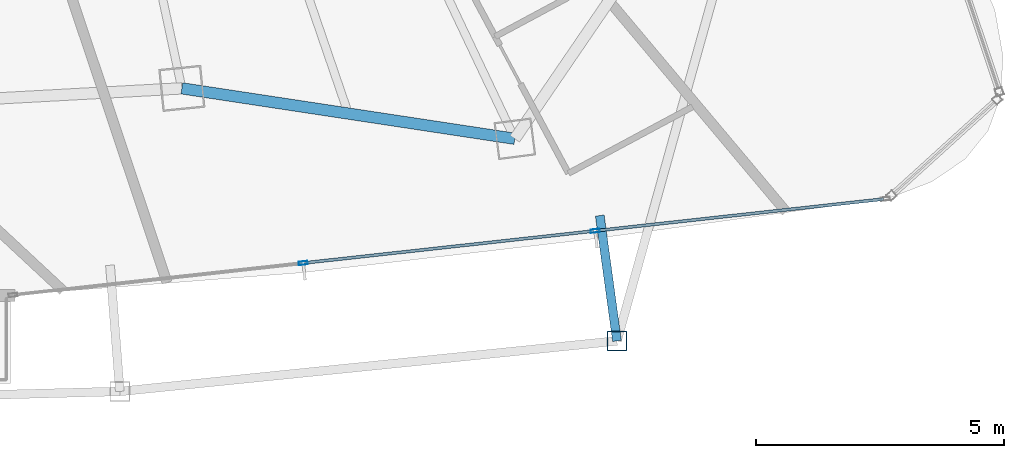
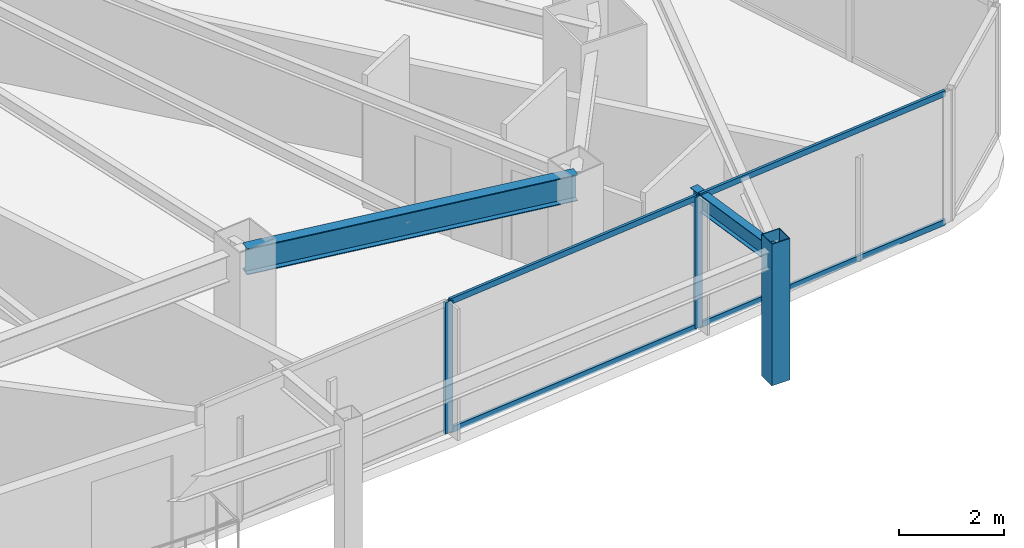
# One storey, part 13 of 31: 7 members, 2 beams, 1 element without a shape of its own.
"""IFC4 building model written with IfcOpenShell, lengths in metres."""

from ifc_helpers import new_model, si_unit, direction, frame, origin, origin_2d, place, context, subcontext, project, spatial, hollow_rectangle, i_section, extrude, material, layer, layer_set, material_profile, profile_set, type_object, element, aggregate, save


model = new_model("IFC4")

# Units and contexts
model_context = context("Model", 3, precision=1e-05, world=origin(), true_north=direction((0.0, 1.0)))
body_context = subcontext(model_context, "Body", "Model", "MODEL_VIEW")
ifc_project = project(units=[si_unit("LENGTHUNIT", "METRE"), si_unit("AREAUNIT", "SQUARE_METRE"), si_unit("VOLUMEUNIT", "CUBIC_METRE"), si_unit("PLANEANGLEUNIT", "RADIAN"), si_unit("MASSUNIT", "GRAM", prefix="KILO")], contexts=[model_context])

# Site, building, storey
site_placement = place(None, origin())
site = spatial("IfcSite", under=ifc_project, at=site_placement, CompositionType="ELEMENT")
building_placement = place(site_placement, origin())
building = spatial("IfcBuilding", under=site, at=building_placement, Name="Orvanel Arch Residences", CompositionType="ELEMENT")
storey_placement = place(building_placement, frame((0.0, 0.0, 129.800048828125)))
storey = spatial("IfcBuildingStorey", under=building, at=storey_placement, Name="L36", CompositionType="ELEMENT", Elevation=129.800048828125)

# Curtain wall, members
ifc_material_1 = material(Name="Bronze-anodised aluminium AA6063-T6", Category="aluminium")
ifc_layer = layer(ifc_material_1, 0.179931640625)
ifc_layer_set = layer_set([ifc_layer], Name="Bronze-anodised aluminium AA6063-T6")
curtain_wall_type = type_object("IfcCurtainWallType", Name="CW3-MID-SYS", PredefinedType="NOTDEFINED", material=ifc_layer_set)
curtain_wall_placement = place(storey_placement, origin())
curtain_wall = element("IfcCurtainWall", 1, at=curtain_wall_placement, inside=storey, type_object=curtain_wall_type, Name="L36 CW3-MID-SYS Unitised Curtain Wall", PredefinedType="NOTDEFINED")
ifc_material_profile_1 = material_profile(ifc_material_1, hollow_rectangle(XDim=0.070068359375, YDim=0.179931640625, WallThickness=0.00439453125, at=origin_2d()), Name="ALU180x70x4.5")
ifc_profile_set_1 = profile_set([ifc_material_profile_1], Name="Bronze-anodised aluminium AA6063-T6")
member_type_1 = type_object("IfcMemberType", Name="MUL-180x70", PredefinedType="MULLION", material=ifc_profile_set_1)
member_1_placement = place(storey_placement, frame((44.79638671875, 3.835693359375, 0.0), z_axis=(0.0, 0.0, 1.0), x_axis=(-0.109627687319, 0.993972721041, 0.0)))
member_1 = element("IfcMember", 2, at=member_1_placement, type_object=member_type_1, Name="CW-S3 mullion 2", PredefinedType="MULLION", context=body_context, shape_type="SweptSolid", body=[
    extrude(hollow_rectangle(XDim=0.070068359375, YDim=0.179931640625, WallThickness=0.00439453125, at=origin_2d()), origin(), (0.0, 0.0, 1.0), 3.06005859375),
])
member_2_placement = place(storey_placement, frame((50.677734375, 4.484375, 0.0), z_axis=(0.0, 0.0, 1.0), x_axis=(-0.109627687319, 0.993972721041, 0.0)))
member_2 = element("IfcMember", 3, at=member_2_placement, type_object=member_type_1, Name="CW-S3 mullion 3", PredefinedType="MULLION", context=body_context, shape_type="SweptSolid", body=[
    extrude(hollow_rectangle(XDim=0.070068359375, YDim=0.179931640625, WallThickness=0.00439453125, at=origin_2d()), origin(), (0.0, 0.0, 1.0), 3.06005859375),
])

# Beams
ifc_material_2 = material(Name="Structural steel AS/NZS 3679.1 Grade 300 (300 MPa)", Category="steel")
ifc_material_profile_2 = material_profile(ifc_material_2, i_section(OverallWidth=0.177978515625, OverallDepth=0.406005859375, WebThickness=0.0078125, FlangeThickness=0.0126953125, at=origin_2d()), Name="410UB59.7")
ifc_profile_set_2 = profile_set([ifc_material_profile_2], Name="Structural steel AS/NZS 3679.1 Grade 300 (300 MPa)")
beam_type_1 = type_object("IfcBeamType", Name="OB-410UB-EXT", PredefinedType="SPANDREL", material=ifc_profile_set_2)
beam_1_placement = place(storey_placement, frame((50.77001953125, 4.79296875, 2.85693359375), z_axis=(0.136070320573, -0.990699181315, 0.0), x_axis=(0.990699181315, 0.136070320573, 0.0)))
element("IfcBeam", 4, at=beam_1_placement, inside=storey, type_object=beam_type_1, Name="L36 Outer Frame Radial Tie Beam 08", PredefinedType="SPANDREL", context=body_context, shape_type="SweptSolid", body=[
    extrude(i_section(OverallWidth=0.177978515625, OverallDepth=0.406005859375, WebThickness=0.0078125, FlangeThickness=0.0126953125, at=origin_2d()), origin(), (0.0, 0.0, 1.0), 2.549560546875),
])
ifc_material_profile_3 = material_profile(ifc_material_2, i_section(OverallWidth=0.22900390625, OverallDepth=0.612060546875, WebThickness=0.011962890625, FlangeThickness=0.01953125, at=origin_2d()), Name="610UB125")
ifc_profile_set_3 = profile_set([ifc_material_profile_3], Name="Structural steel AS/NZS 3679.1 Grade 300 (300 MPa)")
beam_type_2 = type_object("IfcBeamType", Name="SP-610UB", PredefinedType="SPANDREL", material=ifc_profile_set_3)
beam_2_placement = place(storey_placement, frame((42.35107421875, 7.35498046875, 2.75390625), z_axis=(0.988726323014, -0.149733958002, 0.0), x_axis=(0.149733958002, 0.988726323014, 0.0)))
element("IfcBeam", 5, at=beam_2_placement, inside=storey, type_object=beam_type_2, Name="L36 Perimeter Spandrel Beam 07", PredefinedType="SPANDREL", context=body_context, shape_type="SweptSolid", body=[
    extrude(i_section(OverallWidth=0.22900390625, OverallDepth=0.612060546875, WebThickness=0.011962890625, FlangeThickness=0.01953125, at=origin_2d()), origin(), (0.0, 0.0, 1.0), 6.784423828125),
])

# Member
ifc_material_3 = material(Name="Structural steel AS/NZS 1163 C450L0 (Grade 450)", Category="steel")
ifc_material_profile_4 = material_profile(ifc_material_3, hollow_rectangle(XDim=0.39990234375, YDim=0.39990234375, WallThickness=0.01611328125, at=origin_2d()), Name="SHS400x400x16")
ifc_profile_set_4 = profile_set([ifc_material_profile_4], Name="Structural steel AS/NZS 1163 C450L0 (Grade 450)")
member_type_2 = type_object("IfcMemberType", Name="ST-400SHS-EXT", PredefinedType="STRUT", material=ifc_profile_set_4)
member_3_placement = place(storey_placement, frame((51.116943359375, 2.26708984375, 0.0), z_axis=(0.0, 0.0, 1.0), x_axis=(1.0, 0.0, 0.0)))
element("IfcMember", 6, at=member_3_placement, inside=storey, type_object=member_type_2, Name="L36 Outer Perimeter Frame Post 08", PredefinedType="STRUT", context=body_context, shape_type="SweptSolid", body=[
    extrude(hollow_rectangle(XDim=0.39990234375, YDim=0.39990234375, WallThickness=0.01611328125, at=origin_2d()), origin(), (0.0, 0.0, 1.0), 3.300048828125),
])

ifc_material_profile_5 = material_profile(ifc_material_1, hollow_rectangle(XDim=0.06005859375, YDim=0.135009765625, WallThickness=0.00390625, at=origin_2d()), Name="ALU135x60x4")
ifc_profile_set_5 = profile_set([ifc_material_profile_5], Name="Bronze-anodised aluminium AA6063-T6")
member_type_3 = type_object("IfcMemberType", Name="TRN-135x60", PredefinedType="USERDEFINED", material=ifc_profile_set_5)
member_4_placement = place(storey_placement, frame((44.8310546875, 3.839599609375, 0.030029296875), z_axis=(0.993975049404, 0.109606574446, 0.0), x_axis=(-0.109606574446, 0.993975049404, 0.0)))
member_4 = element("IfcMember", 7, at=member_4_placement, type_object=member_type_3, Name="CW-S3 transom 2.1", ObjectType="TRANSOM", PredefinedType="USERDEFINED", context=body_context, shape_type="SweptSolid", body=[
    extrude(hollow_rectangle(XDim=0.06005859375, YDim=0.135009765625, WallThickness=0.00390625, at=origin_2d()), origin(), (0.0, 0.0, 1.0), 5.846923828125),
])

member_5_placement = place(storey_placement, frame((44.8310546875, 3.839599609375, 3.030029296875), z_axis=(0.993975049404, 0.109606574446, 0.0), x_axis=(-0.109606574446, 0.993975049404, 0.0)))
member_5 = element("IfcMember", 8, at=member_5_placement, type_object=member_type_3, Name="CW-S3 transom 2.2", ObjectType="TRANSOM", PredefinedType="USERDEFINED", context=body_context, shape_type="SweptSolid", body=[
    extrude(hollow_rectangle(XDim=0.06005859375, YDim=0.135009765625, WallThickness=0.00390625, at=origin_2d()), origin(), (0.0, 0.0, 1.0), 5.846923828125),
])

member_6_placement = place(storey_placement, frame((50.71240234375, 4.48828125, 0.030029296875), z_axis=(0.993976612238, 0.109592400851, 0.0), x_axis=(-0.109592400851, 0.993976612238, 0.0)))
member_6 = element("IfcMember", 9, at=member_6_placement, type_object=member_type_3, Name="CW-S3 transom 3.1", ObjectType="TRANSOM", PredefinedType="USERDEFINED", context=body_context, shape_type="SweptSolid", body=[
    extrude(hollow_rectangle(XDim=0.06005859375, YDim=0.135009765625, WallThickness=0.00390625, at=origin_2d()), origin(), (0.0, 0.0, 1.0), 5.81201171875),
])

member_7_placement = place(storey_placement, frame((50.71240234375, 4.48828125, 3.030029296875), z_axis=(0.993976612238, 0.109592400851, 0.0), x_axis=(-0.109592400851, 0.993976612238, 0.0)))
member_7 = element("IfcMember", 10, at=member_7_placement, type_object=member_type_3, Name="CW-S3 transom 3.2", ObjectType="TRANSOM", PredefinedType="USERDEFINED", context=body_context, shape_type="SweptSolid", body=[
    extrude(hollow_rectangle(XDim=0.06005859375, YDim=0.135009765625, WallThickness=0.00390625, at=origin_2d()), origin(), (0.0, 0.0, 1.0), 5.81201171875),
])

aggregate(curtain_wall, [member_1, member_2, member_4, member_5, member_6, member_7])

save(model, "model.ifc")
